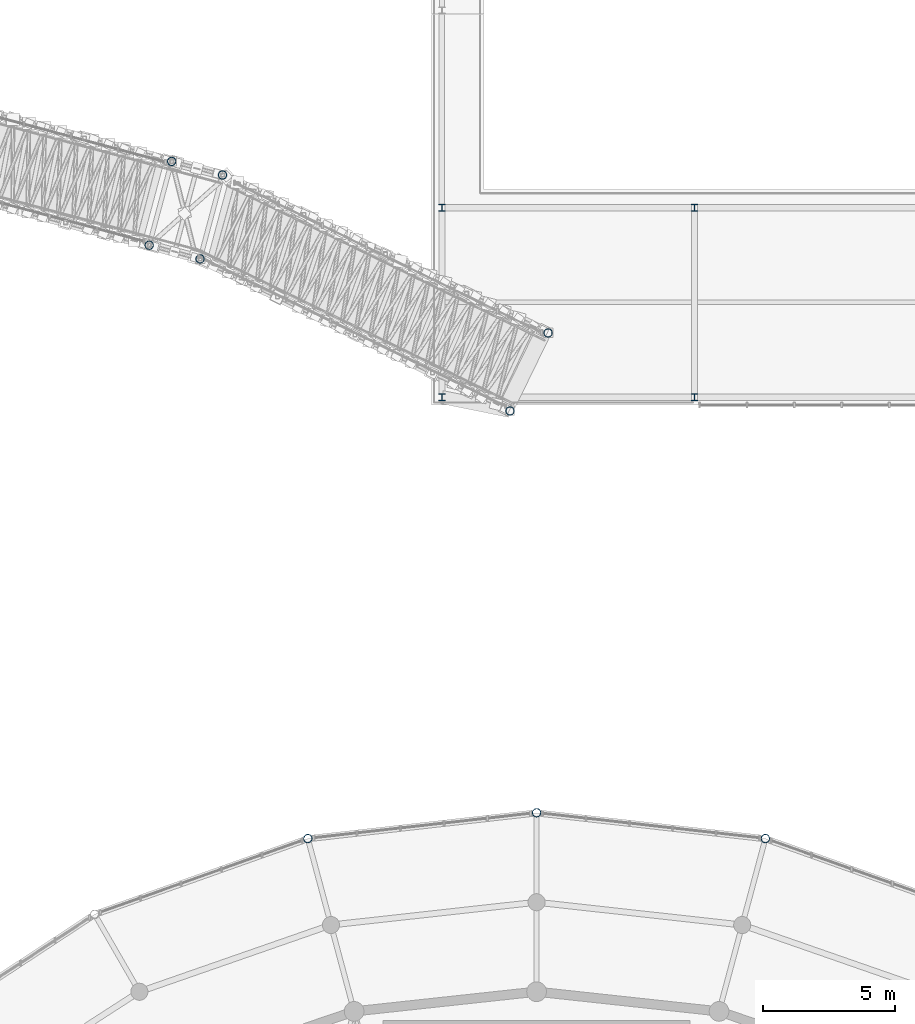
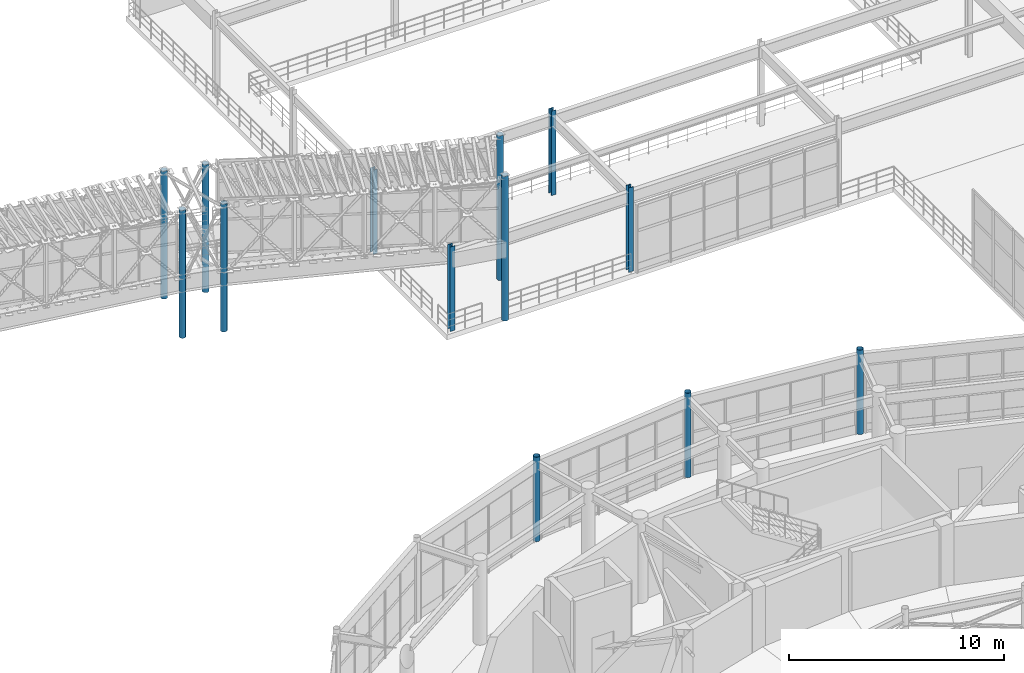
# One storey, part 18 of 144: 13 columns.
"""IFC4 building model written with IfcOpenShell, lengths in metres."""

from ifc_helpers import new_model, si_unit, direction, frame, origin, origin_2d, place, context, subcontext, project, spatial, hollow_circle, i_section, extrude, material, material_profile, profile_set, type_object, element, save


model = new_model("IFC4")

# Units and contexts
model_context = context("Model", 3, precision=1e-05, world=origin(), true_north=direction((0.0, 1.0)))
body_context = subcontext(model_context, "Body", "Model", "MODEL_VIEW")
ifc_project = project(units=[si_unit("LENGTHUNIT", "METRE"), si_unit("AREAUNIT", "SQUARE_METRE"), si_unit("VOLUMEUNIT", "CUBIC_METRE"), si_unit("PLANEANGLEUNIT", "RADIAN"), si_unit("MASSUNIT", "GRAM", prefix="KILO")], contexts=[model_context])

# Site, building, storey
site_placement = place(None, origin())
site = spatial("IfcSite", under=ifc_project, at=site_placement, CompositionType="ELEMENT")
building_placement = place(site_placement, origin())
building = spatial("IfcBuilding", under=site, at=building_placement, Name="Cinderbank Siding Concert Hall", CompositionType="ELEMENT")
storey_placement = place(building_placement, frame((0.0, 0.0, 5.39990234375)))
storey = spatial("IfcBuildingStorey", under=building, at=storey_placement, Name="L02", CompositionType="ELEMENT", Elevation=5.39990234375)

# Columns
ifc_material_1 = material(Name="Structural steel hollow section AS/NZS 1163 Grade C350L0 (350 MPa)", Category="steel")
ifc_material_profile_1 = material_profile(ifc_material_1, hollow_circle(Radius=0.161865234375, WallThickness=0.0126953125, at=origin_2d()), Name="323.9x12.7CHS", Category="LoadBearing")
ifc_profile_set_1 = profile_set([ifc_material_profile_1], Name="Structural steel hollow section AS/NZS 1163 Grade C350L0 (350 MPa)")
column_type_1 = type_object("IfcColumnType", Name="C-CHS323 323.9x12.7CHS", PredefinedType="COLUMN", material=ifc_profile_set_1)
for number, where, z_axis, x_axis, name in (
    (1, (130.696044921875, 71.819091796875, 0.0), (0.0, 0.0, 1.0), (1.0, 0.0, 0.0), "L02 Column COL-E4-06"),
    (2, (122.0, 72.800048828125, 0.0), (0.0, 0.0, 1.0), (1.0, 0.0, 0.0), "L02 Column COL-E4-07"),
    (3, (113.303955078125, 71.819091796875, 0.0), (0.0, 0.0, 1.0), (1.0, 0.0, 0.0), "L02 Column COL-E4-08"),
):
    element("IfcColumn", number, at=place(storey_placement, frame(where, z_axis=z_axis, x_axis=x_axis)), inside=storey, type_object=column_type_1, Name=name, PredefinedType="COLUMN", context=body_context, shape_type="SweptSolid", body=[
        extrude(hollow_circle(Radius=0.161865234375, WallThickness=0.0126953125, at=origin_2d()), origin(), (0.0, 0.0, 1.0), 4.800048828125),
    ])
for number, where, z_axis, x_axis, name in (
    (4, (108.1279296875, 97.56103515625, 0.0), (0.0, 0.0, 1.0), (1.0, 0.0, 0.0), "L02 Column COL-BRL-07"),
    (5, (107.27392578125, 94.3740234375, 0.0), (0.0, 0.0, 1.0), (1.0, 0.0, 0.0), "L02 Column COL-BRR-07"),
    (6, (110.06005859375, 97.0439453125, 0.0), (0.0, 0.0, 1.0), (1.0, 0.0, 0.0), "L02 Column COL-BRL-08"),
    (7, (109.2060546875, 93.85595703125, 0.0), (0.0, 0.0, 1.0), (1.0, 0.0, 0.0), "L02 Column COL-BRR-08"),
):
    element("IfcColumn", number, at=place(storey_placement, frame(where, z_axis=z_axis, x_axis=x_axis)), inside=storey, type_object=column_type_1, Name=name, PredefinedType="COLUMN", context=body_context, shape_type="SweptSolid", body=[
        extrude(hollow_circle(Radius=0.161865234375, WallThickness=0.0126953125, at=origin_2d()), origin(), (0.0, 0.0, 1.0), 7.27001953125),
    ])
for number, where, z_axis, x_axis, name in (
    (8, (122.43603515625, 91.041015625, 0.0), (0.0, 0.0, 1.0), (1.0, 0.0, 0.0), "L02 Column COL-BRL-09"),
    (9, (120.989013671875, 88.074951171875, 0.0), (0.0, 0.0, 1.0), (1.0, 0.0, 0.0), "L02 Column COL-BRR-09"),
):
    element("IfcColumn", number, at=place(storey_placement, frame(where, z_axis=z_axis, x_axis=x_axis)), inside=storey, type_object=column_type_1, Name=name, PredefinedType="COLUMN", context=body_context, shape_type="SweptSolid", body=[
        extrude(hollow_circle(Radius=0.161865234375, WallThickness=0.0126953125, at=origin_2d()), origin(), (0.0, 0.0, 1.0), 8.22998046875),
    ])
ifc_material_2 = material(Name="Structural steel AS/NZS 3679.1 Grade 350 (340 MPa)", Category="steel")
ifc_material_profile_2 = material_profile(ifc_material_2, i_section(OverallWidth=0.256103515625, OverallDepth=0.260009765625, WebThickness=0.010498046875, FlangeThickness=0.017333984375, at=origin_2d()), Name="250UC89.5", Category="LoadBearing")
ifc_profile_set_2 = profile_set([ifc_material_profile_2], Name="Structural steel AS/NZS 3679.1 Grade 350 (340 MPa)")
column_type_2 = type_object("IfcColumnType", Name="C-UC250H 250UC89.5", PredefinedType="COLUMN", material=ifc_profile_set_2)
for number, where, z_axis, x_axis, name in (
    (10, (118.39990234375, 88.60009765625, 0.0), (0.0, 0.0, 1.0), (1.0, 0.0, 0.0), "L02 Column COL-V3-1-1"),
    (11, (118.39990234375, 95.800048828125, 0.0), (0.0, 0.0, 1.0), (1.0, 0.0, 0.0), "L02 Column COL-V3-1-2"),
    (12, (128.0, 88.60009765625, 0.0), (0.0, 0.0, 1.0), (1.0, 0.0, 0.0), "L02 Column COL-V3-2-1"),
    (13, (128.0, 95.800048828125, 0.0), (0.0, 0.0, 1.0), (1.0, 0.0, 0.0), "L02 Column COL-V3-2-2"),
):
    element("IfcColumn", number, at=place(storey_placement, frame(where, z_axis=z_axis, x_axis=x_axis)), inside=storey, type_object=column_type_2, Name=name, PredefinedType="COLUMN", context=body_context, shape_type="SweptSolid", body=[
        extrude(i_section(OverallWidth=0.256103515625, OverallDepth=0.260009765625, WebThickness=0.010498046875, FlangeThickness=0.017333984375, at=origin_2d()), origin(), (0.0, 0.0, 1.0), 4.800048828125),
    ])

save(model, "model.ifc")
